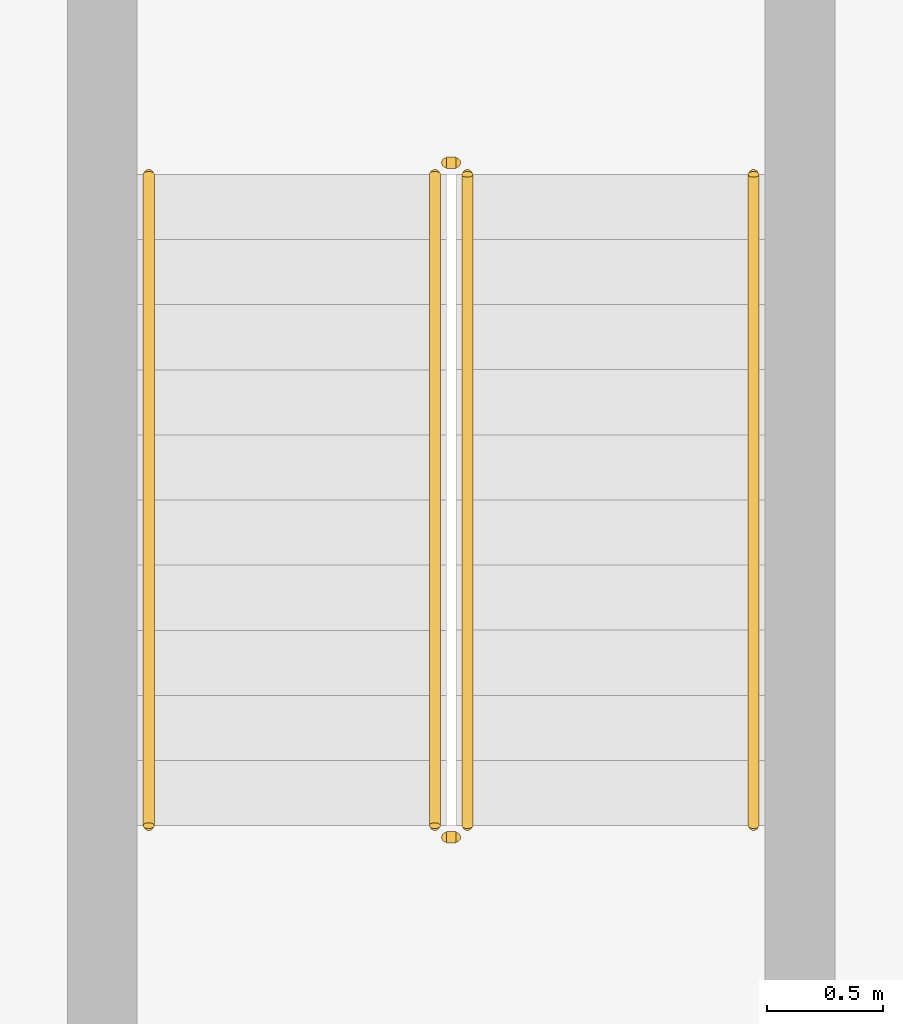
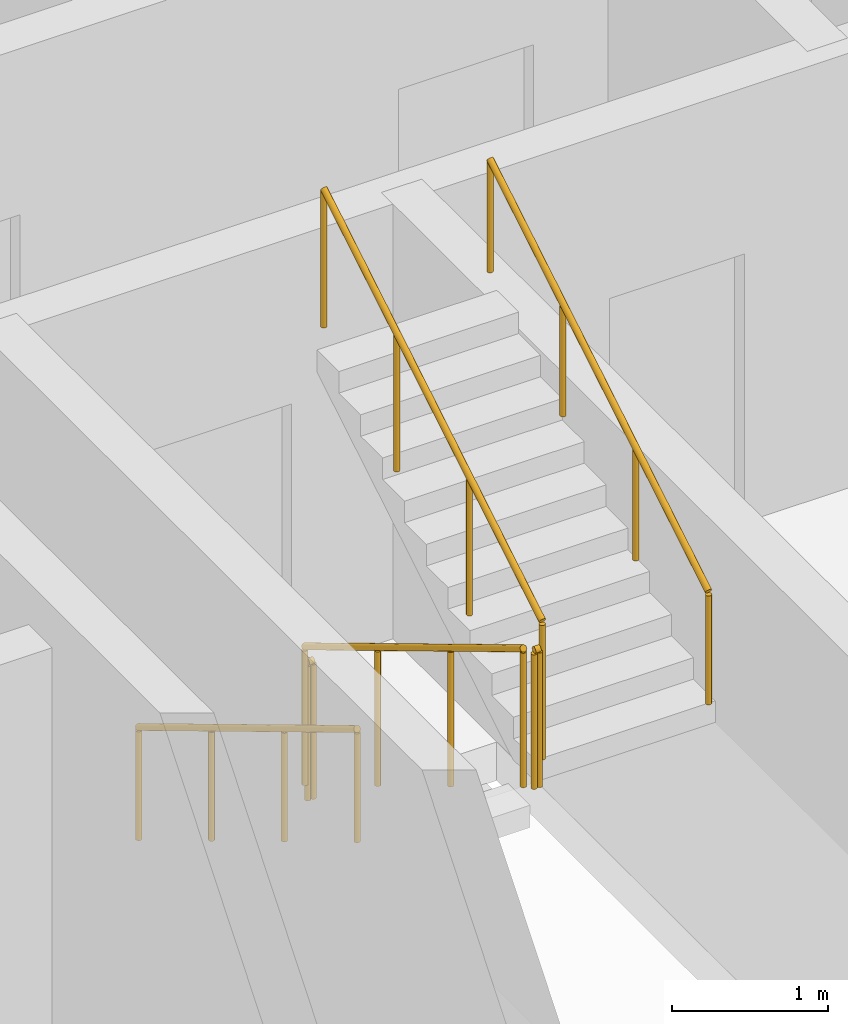
# One storey, part 18 of 19: 6 railings.
"""IFC4 building model written with IfcOpenShell, lengths in metres."""

from ifc_helpers import new_model, si_unit, direction, frame, origin, origin_2d, place, context, subcontext, project, spatial, circle, extrude, material, type_object, element, save


model = new_model("IFC4")

# Units and contexts
model_context = context("Model", 3, precision=1e-05, world=origin(), true_north=direction((0.0, 1.0)))
body_context = subcontext(model_context, "Body", "Model", "MODEL_VIEW")
ifc_project = project(units=[si_unit("LENGTHUNIT", "METRE"), si_unit("AREAUNIT", "SQUARE_METRE"), si_unit("VOLUMEUNIT", "CUBIC_METRE"), si_unit("PLANEANGLEUNIT", "RADIAN"), si_unit("MASSUNIT", "GRAM", prefix="KILO")], contexts=[model_context])

# Site, building, storey
site_placement = place(None, origin())
site = spatial("IfcSite", under=ifc_project, at=site_placement, CompositionType="ELEMENT")
building_placement = place(site_placement, origin())
building = spatial("IfcBuilding", under=site, at=building_placement, Name="Ogive Portal Towers", CompositionType="ELEMENT")
storey_placement = place(building_placement, frame((0.0, 0.0, 218.0)))
storey = spatial("IfcBuildingStorey", under=building, at=storey_placement, Name="L54", CompositionType="ELEMENT", Elevation=218.0)

# Railings
ifc_material_1 = material(Name="Stainless steel balustrade", Category="steel")
railing_type_1 = type_object("IfcRailingType", Name="INT-GUARD", PredefinedType="GUARDRAIL", material=ifc_material_1)
railing_1_placement = place(storey_placement, frame((88.280029296875, 29.169921875, 0.168212890625)))
element("IfcRailing", 1, at=railing_1_placement, inside=storey, type_object=railing_type_1, Name="L54 ST-A4 stair guard 1", PredefinedType="GUARDRAIL", context=body_context, shape_type="SweptSolid", body=[
    extrude(circle(Radius=0.02392578125, at=origin_2d()), frame((0.0, 0.0, 1.076171875), z_axis=(0.0, -0.857222391501, 0.514946377315), x_axis=(1.0, 0.0, 0.0)), (0.0, 0.0, 1.0), 3.26611328125),
    extrude(circle(Radius=0.02099609375, at=origin_2d()), origin(), (0.0, 0.0, 1.0), 1.052001953125),
    extrude(circle(Radius=0.02099609375, at=origin_2d()), frame((0.0, -0.933349609375, 0.560546875)), (0.0, 0.0, 1.0), 1.052001953125),
    extrude(circle(Radius=0.02099609375, at=origin_2d()), frame((0.0, -1.866455078125, 1.121337890625)), (0.0, 0.0, 1.0), 1.052001953125),
    extrude(circle(Radius=0.02099609375, at=origin_2d()), frame((0.0, -2.7998046875, 1.681884765625)), (0.0, 0.0, 1.0), 1.052001953125),
])
railing_2_placement = place(storey_placement, frame((88.330078125, 26.320068359375, 1.85009765625)))
element("IfcRailing", 2, at=railing_2_placement, inside=storey, type_object=railing_type_1, Name="L54 ST-A4 stair guard 2", PredefinedType="GUARDRAIL", context=body_context, shape_type="SweptSolid", body=[
    extrude(circle(Radius=0.02392578125, at=origin_2d()), frame((0.0, 0.0, 1.076171875), z_axis=(1.0, 0.0, 0.0), x_axis=(0.0, 1.0, 0.0)), (0.0, 0.0, 1.0), 0.0400390625),
    extrude(circle(Radius=0.02099609375, at=origin_2d()), origin(), (0.0, 0.0, 1.0), 1.052001953125),
    extrude(circle(Radius=0.02099609375, at=origin_2d()), frame((0.0400390625, 0.0, 0.0)), (0.0, 0.0, 1.0), 1.052001953125),
])
railing_3_placement = place(storey_placement, frame((88.419921875, 26.3701171875, 2.01806640625)))
element("IfcRailing", 3, at=railing_3_placement, inside=storey, type_object=railing_type_1, Name="L54 ST-A4 stair guard 3", PredefinedType="GUARDRAIL", context=body_context, shape_type="SweptSolid", body=[
    extrude(circle(Radius=0.02392578125, at=origin_2d()), frame((0.0, 0.0, 1.076171875), z_axis=(0.0, 0.857222391501, 0.514946377315), x_axis=(-1.0, 0.0, 0.0)), (0.0, 0.0, 1.0), 3.26611328125),
    extrude(circle(Radius=0.02099609375, at=origin_2d()), origin(), (0.0, 0.0, 1.0), 1.052001953125),
    extrude(circle(Radius=0.02099609375, at=origin_2d()), frame((0.0, 0.933349609375, 0.560546875)), (0.0, 0.0, 1.0), 1.052001953125),
    extrude(circle(Radius=0.02099609375, at=origin_2d()), frame((0.0, 1.866455078125, 1.121337890625)), (0.0, 0.0, 1.0), 1.052001953125),
    extrude(circle(Radius=0.02099609375, at=origin_2d()), frame((0.0, 2.7998046875, 1.681884765625)), (0.0, 0.0, 1.0), 1.052001953125),
])
railing_4_placement = place(storey_placement, frame((88.330078125, 29.219970703125, 0.0)))
element("IfcRailing", 4, at=railing_4_placement, inside=storey, type_object=railing_type_1, Name="L54 ST-A4 stair guard 4", PredefinedType="GUARDRAIL", context=body_context, shape_type="SweptSolid", body=[
    extrude(circle(Radius=0.02392578125, at=origin_2d()), frame((0.0, 0.0, 1.076171875), z_axis=(1.0, 0.0, 0.0), x_axis=(0.0, 1.0, 0.0)), (0.0, 0.0, 1.0), 0.0400390625),
    extrude(circle(Radius=0.02099609375, at=origin_2d()), origin(), (0.0, 0.0, 1.0), 1.052001953125),
    extrude(circle(Radius=0.02099609375, at=origin_2d()), frame((0.0400390625, 0.0, 0.0)), (0.0, 0.0, 1.0), 1.052001953125),
])
ifc_material_2 = material(Name="Stainless steel handrail", Category="steel")
railing_type_2 = type_object("IfcRailingType", Name="INT-HANDRAIL", PredefinedType="HANDRAIL", material=ifc_material_2)
railing_5_placement = place(storey_placement, frame((87.050048828125, 29.169921875, 0.168212890625)))
element("IfcRailing", 5, at=railing_5_placement, inside=storey, type_object=railing_type_2, Name="L54 ST-A4 stair handrail 1", PredefinedType="HANDRAIL", context=body_context, shape_type="SweptSolid", body=[
    extrude(circle(Radius=0.02392578125, at=origin_2d()), frame((0.0, 0.0, 0.8759765625), z_axis=(0.0, -0.857222391501, 0.514946377315), x_axis=(1.0, 0.0, 0.0)), (0.0, 0.0, 1.0), 3.26611328125),
    extrude(circle(Radius=0.02099609375, at=origin_2d()), origin(), (0.0, 0.0, 1.0), 0.851806640625),
    extrude(circle(Radius=0.02099609375, at=origin_2d()), frame((0.0, -0.933349609375, 0.560546875)), (0.0, 0.0, 1.0), 0.851806640625),
    extrude(circle(Radius=0.02099609375, at=origin_2d()), frame((0.0, -1.866455078125, 1.121337890625)), (0.0, 0.0, 1.0), 0.851806640625),
    extrude(circle(Radius=0.02099609375, at=origin_2d()), frame((0.0, -2.7998046875, 1.681884765625)), (0.0, 0.0, 1.0), 0.851806640625),
])
railing_6_placement = place(storey_placement, frame((89.64990234375, 26.3701171875, 2.01806640625)))
element("IfcRailing", 6, at=railing_6_placement, inside=storey, type_object=railing_type_2, Name="L54 ST-A4 stair handrail 2", PredefinedType="HANDRAIL", context=body_context, shape_type="SweptSolid", body=[
    extrude(circle(Radius=0.02392578125, at=origin_2d()), frame((0.0, 0.0, 0.8759765625), z_axis=(0.0, 0.857222391501, 0.514946377315), x_axis=(-1.0, 0.0, 0.0)), (0.0, 0.0, 1.0), 3.26611328125),
    extrude(circle(Radius=0.02099609375, at=origin_2d()), origin(), (0.0, 0.0, 1.0), 0.851806640625),
    extrude(circle(Radius=0.02099609375, at=origin_2d()), frame((0.0, 0.933349609375, 0.560546875)), (0.0, 0.0, 1.0), 0.851806640625),
    extrude(circle(Radius=0.02099609375, at=origin_2d()), frame((0.0, 1.866455078125, 1.121337890625)), (0.0, 0.0, 1.0), 0.851806640625),
    extrude(circle(Radius=0.02099609375, at=origin_2d()), frame((0.0, 2.7998046875, 1.681884765625)), (0.0, 0.0, 1.0), 0.851806640625),
])

save(model, "model.ifc")
